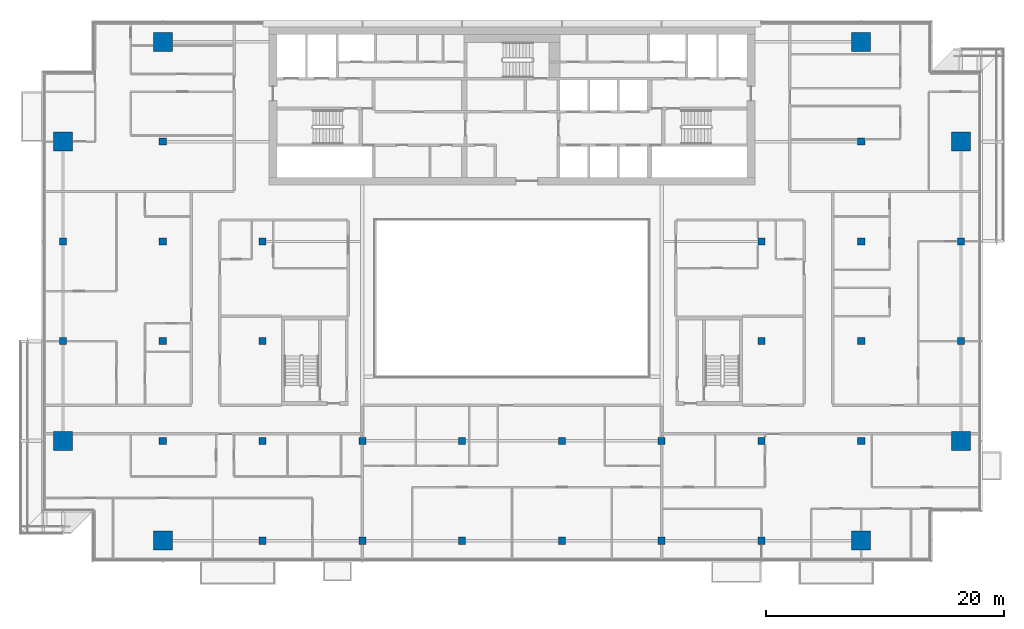
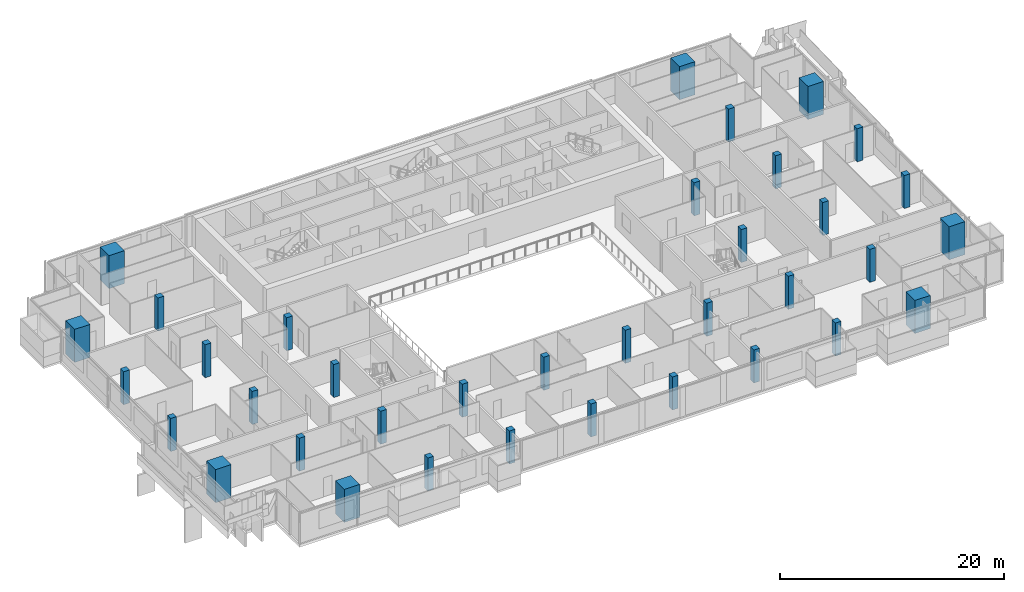
# One storey, part 1 of 30: 36 columns.
"""IFC4 building model written with IfcOpenShell, lengths in metres."""

from ifc_helpers import new_model, si_unit, direction, frame, origin, origin_2d, place, context, subcontext, project, spatial, rectangle, extrude, material, material_profile, profile_set, type_object, element, save


model = new_model("IFC4")

# Units and contexts
model_context = context("Model", 3, precision=1e-05, world=origin(), true_north=direction((0.0, 1.0)))
body_context = subcontext(model_context, "Body", "Model", "MODEL_VIEW")
ifc_project = project(units=[si_unit("LENGTHUNIT", "METRE"), si_unit("AREAUNIT", "SQUARE_METRE"), si_unit("VOLUMEUNIT", "CUBIC_METRE"), si_unit("PLANEANGLEUNIT", "RADIAN"), si_unit("MASSUNIT", "GRAM", prefix="KILO")], contexts=[model_context])

# Site, building, storey
site_placement = place(None, origin())
site = spatial("IfcSite", under=ifc_project, at=site_placement, CompositionType="ELEMENT")
building_placement = place(site_placement, origin())
building = spatial("IfcBuilding", under=site, at=building_placement, Name="Saffron Gate Tower", CompositionType="ELEMENT")
storey_placement = place(building_placement, frame((0.0, 0.0, 223.5)))
storey = spatial("IfcBuildingStorey", under=building, at=storey_placement, Name="L54", CompositionType="ELEMENT", Elevation=223.5)

# Columns
ifc_material_1 = material(Name="Concrete C50", Category="concrete")
ifc_material_profile_1 = material_profile(ifc_material_1, rectangle(XDim=0.60009765625, YDim=0.60009765625, at=origin_2d()))
ifc_profile_set_1 = profile_set([ifc_material_profile_1], Name="Concrete C50")
column_type_1 = type_object("IfcColumnType", Name="C2 RC 600x600 CONCRETE C50", PredefinedType="COLUMN", material=ifc_profile_set_1)
for number, where, z_axis, x_axis, name in (
    (1, (49.800048828125, 48.60009765625, 0.0), (0.0, 0.0, 1.0), (1.0, 0.0, 0.0), "C2 COLUMN X1-C"),
    (2, (49.800048828125, 57.0, 0.0), (0.0, 0.0, 1.0), (1.0, 0.0, 0.0), "C2 COLUMN X1-D"),
    (3, (58.199951171875, 40.199951171875, 0.0), (0.0, 0.0, 1.0), (1.0, 0.0, 0.0), "C2 COLUMN X2-B"),
    (4, (58.199951171875, 48.60009765625, 0.0), (0.0, 0.0, 1.0), (1.0, 0.0, 0.0), "C2 COLUMN X2-C"),
    (5, (58.199951171875, 57.0, 0.0), (0.0, 0.0, 1.0), (1.0, 0.0, 0.0), "C2 COLUMN X2-D"),
    (6, (58.199951171875, 65.39990234375, 0.0), (0.0, 0.0, 1.0), (1.0, 0.0, 0.0), "C2 COLUMN X2-E"),
    (7, (66.60009765625, 31.800048828125, 0.0), (0.0, 0.0, 1.0), (1.0, 0.0, 0.0), "C2 COLUMN X3-A"),
    (8, (66.60009765625, 40.199951171875, 0.0), (0.0, 0.0, 1.0), (1.0, 0.0, 0.0), "C2 COLUMN X3-B"),
    (9, (66.60009765625, 48.60009765625, 0.0), (0.0, 0.0, 1.0), (1.0, 0.0, 0.0), "C2 COLUMN X3-C"),
    (10, (66.60009765625, 57.0, 0.0), (0.0, 0.0, 1.0), (1.0, 0.0, 0.0), "C2 COLUMN X3-D"),
    (11, (75.0, 31.800048828125, 0.0), (0.0, 0.0, 1.0), (1.0, 0.0, 0.0), "C2 COLUMN X4-A"),
    (12, (75.0, 40.199951171875, 0.0), (0.0, 0.0, 1.0), (1.0, 0.0, 0.0), "C2 COLUMN X4-B"),
    (13, (83.39990234375, 31.800048828125, 0.0), (0.0, 0.0, 1.0), (1.0, 0.0, 0.0), "C2 COLUMN X5-A"),
    (14, (83.39990234375, 40.199951171875, 0.0), (0.0, 0.0, 1.0), (1.0, 0.0, 0.0), "C2 COLUMN X5-B"),
    (15, (91.800048828125, 31.800048828125, 0.0), (0.0, 0.0, 1.0), (1.0, 0.0, 0.0), "C2 COLUMN X6-A"),
    (16, (91.800048828125, 40.199951171875, 0.0), (0.0, 0.0, 1.0), (1.0, 0.0, 0.0), "C2 COLUMN X6-B"),
    (17, (100.199951171875, 31.800048828125, 0.0), (0.0, 0.0, 1.0), (1.0, 0.0, 0.0), "C2 COLUMN X7-A"),
    (18, (100.199951171875, 40.199951171875, 0.0), (0.0, 0.0, 1.0), (1.0, 0.0, 0.0), "C2 COLUMN X7-B"),
    (19, (108.60009765625, 31.800048828125, 0.0), (0.0, 0.0, 1.0), (1.0, 0.0, 0.0), "C2 COLUMN X8-A"),
    (20, (108.60009765625, 40.199951171875, 0.0), (0.0, 0.0, 1.0), (1.0, 0.0, 0.0), "C2 COLUMN X8-B"),
    (21, (108.60009765625, 48.60009765625, 0.0), (0.0, 0.0, 1.0), (1.0, 0.0, 0.0), "C2 COLUMN X8-C"),
    (22, (108.60009765625, 57.0, 0.0), (0.0, 0.0, 1.0), (1.0, 0.0, 0.0), "C2 COLUMN X8-D"),
    (23, (117.0, 40.199951171875, 0.0), (0.0, 0.0, 1.0), (1.0, 0.0, 0.0), "C2 COLUMN X9-B"),
    (24, (117.0, 48.60009765625, 0.0), (0.0, 0.0, 1.0), (1.0, 0.0, 0.0), "C2 COLUMN X9-C"),
    (25, (117.0, 57.0, 0.0), (0.0, 0.0, 1.0), (1.0, 0.0, 0.0), "C2 COLUMN X9-D"),
    (26, (117.0, 65.39990234375, 0.0), (0.0, 0.0, 1.0), (1.0, 0.0, 0.0), "C2 COLUMN X9-E"),
    (27, (125.39990234375, 48.60009765625, 0.0), (0.0, 0.0, 1.0), (1.0, 0.0, 0.0), "C2 COLUMN X10-C"),
    (28, (125.39990234375, 57.0, 0.0), (0.0, 0.0, 1.0), (1.0, 0.0, 0.0), "C2 COLUMN X10-D"),
):
    element("IfcColumn", number, at=place(storey_placement, frame(where, z_axis=z_axis, x_axis=x_axis)), inside=storey, type_object=column_type_1, Name=name, PredefinedType="COLUMN", context=body_context, shape_type="SweptSolid", body=[
        extrude(rectangle(XDim=0.60009765625, YDim=0.60009765625, at=origin_2d()), origin(), (0.0, 0.0, 1.0), 3.60009765625),
    ])
ifc_material_2 = material(Name="Concrete C70", Category="concrete")
ifc_material_profile_2 = material_profile(ifc_material_2, rectangle(XDim=1.60009765625, YDim=1.60009765625, at=origin_2d()))
ifc_profile_set_2 = profile_set([ifc_material_profile_2], Name="Concrete C70")
column_type_2 = type_object("IfcColumnType", Name="MC1 RC 1600x1600 CONCRETE C70", PredefinedType="COLUMN", material=ifc_profile_set_2)
for number, where, z_axis, x_axis, name in (
    (29, (49.800048828125, 40.199951171875, 0.0), (0.0, 0.0, 1.0), (1.0, 0.0, 0.0), "MC1 MEGA COLUMN X1-B"),
    (30, (49.800048828125, 65.39990234375, 0.0), (0.0, 0.0, 1.0), (1.0, 0.0, 0.0), "MC1 MEGA COLUMN X1-E"),
    (31, (58.199951171875, 31.800048828125, 0.0), (0.0, 0.0, 1.0), (1.0, 0.0, 0.0), "MC1 MEGA COLUMN X2-A"),
    (32, (58.199951171875, 73.800048828125, 0.0), (0.0, 0.0, 1.0), (1.0, 0.0, 0.0), "MC1 MEGA COLUMN X2-F"),
    (33, (117.0, 31.800048828125, 0.0), (0.0, 0.0, 1.0), (1.0, 0.0, 0.0), "MC1 MEGA COLUMN X9-A"),
    (34, (117.0, 73.800048828125, 0.0), (0.0, 0.0, 1.0), (1.0, 0.0, 0.0), "MC1 MEGA COLUMN X9-F"),
    (35, (125.39990234375, 40.199951171875, 0.0), (0.0, 0.0, 1.0), (1.0, 0.0, 0.0), "MC1 MEGA COLUMN X10-B"),
    (36, (125.39990234375, 65.39990234375, 0.0), (0.0, 0.0, 1.0), (1.0, 0.0, 0.0), "MC1 MEGA COLUMN X10-E"),
):
    element("IfcColumn", number, at=place(storey_placement, frame(where, z_axis=z_axis, x_axis=x_axis)), inside=storey, type_object=column_type_2, Name=name, PredefinedType="COLUMN", context=body_context, shape_type="SweptSolid", body=[
        extrude(rectangle(XDim=1.60009765625, YDim=1.60009765625, at=origin_2d()), origin(), (0.0, 0.0, 1.0), 3.60009765625),
    ])

save(model, "model.ifc")
